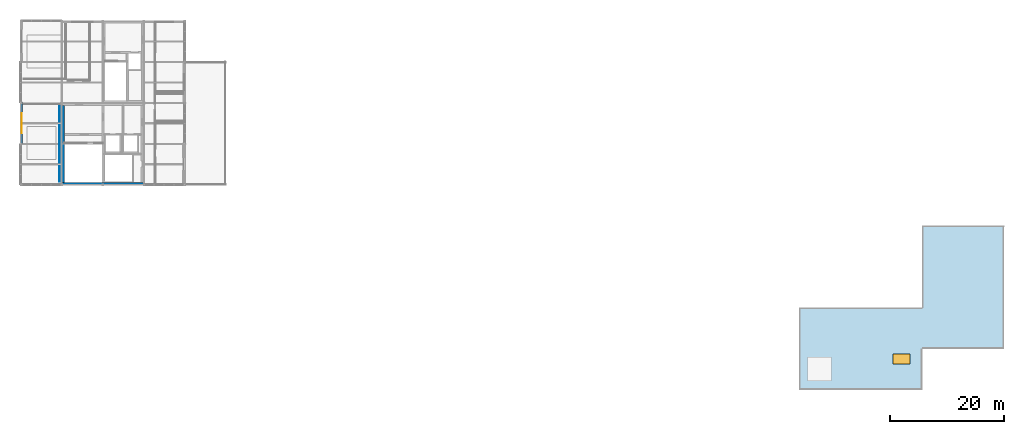
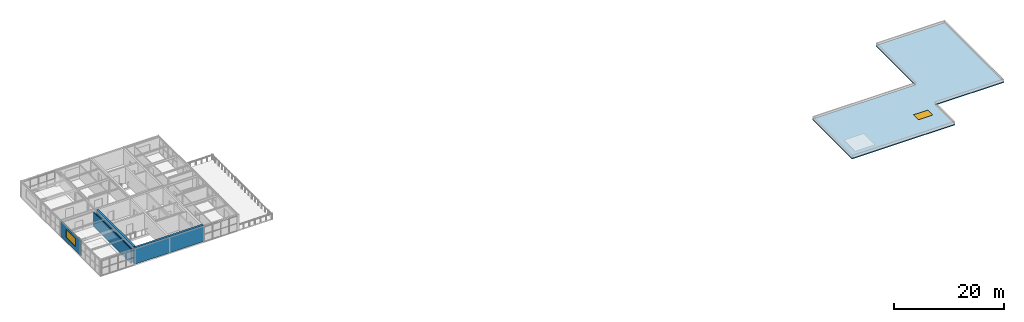
# One storey, part 7 of 12: 4 walls, 2 windows, 1 slab, 2 openings.
"""IFC4 building model written with IfcOpenShell, lengths in metres."""

from ifc_helpers import new_model, si_unit, direction, frame, frame_2d, origin, origin_2d, place, context, subcontext, project, spatial, polyline, rectangle, outline, extrude, material, layer, layer_set, type_object, element, fill, save


model = new_model("IFC4")

# Units and contexts
model_context = context("Model", 3, precision=1e-05, world=origin(), true_north=direction((0.0, 1.0)))
body_context = subcontext(model_context, "Body", "Model", "MODEL_VIEW")
ifc_project = project(units=[si_unit("LENGTHUNIT", "METRE"), si_unit("AREAUNIT", "SQUARE_METRE"), si_unit("VOLUMEUNIT", "CUBIC_METRE"), si_unit("PLANEANGLEUNIT", "RADIAN"), si_unit("MASSUNIT", "GRAM", prefix="KILO")], contexts=[model_context])

# Site, building, storey
site_placement = place(None, origin())
site = spatial("IfcSite", under=ifc_project, at=site_placement, CompositionType="ELEMENT")
building_placement = place(site_placement, origin())
building = spatial("IfcBuilding", under=site, at=building_placement, Name="Leyfeld Transit Interchange", CompositionType="ELEMENT")
storey_placement = place(building_placement, frame((0.0, 0.0, 21.60009765625)))
storey = spatial("IfcBuildingStorey", under=building, at=storey_placement, Name="L05", CompositionType="ELEMENT", Elevation=21.60009765625)

# Slab, opening, window
ifc_material_1 = material(Name="Concrete C35/45", Category="concrete")
ifc_layer_1 = layer(ifc_material_1, 0.219970703125, Name="Concrete C35/45")
ifc_layer_set_1 = layer_set([ifc_layer_1], Name="Concrete C35/45")
slab_type = type_object("IfcSlabType", Name="SLB-ROOF-220", PredefinedType="ROOF", material=ifc_layer_set_1)
slab_placement = place(storey_placement, frame((0.0, 0.0, -0.22021484375)))
slab = element("IfcSlab", 1, at=slab_placement, inside=storey, type_object=slab_type, Name="Slab V4_ROOF L05 B1", PredefinedType="ROOF", context=body_context, shape_type="SweptSolid", body=[
    extrude(outline(polyline([(158.39990234375, 57.60009765625), (158.39990234375, 64.800048828125), (172.800048828125, 64.800048828125), (172.800048828125, 86.39990234375), (158.39990234375, 86.39990234375), (158.39990234375, 72.0), (136.800048828125, 72.0), (136.800048828125, 57.60009765625), (158.39990234375, 57.60009765625)]), holes=[polyline([(156.300048828125, 62.10009765625), (153.300048828125, 62.10009765625), (153.300048828125, 63.89990234375), (156.300048828125, 63.89990234375), (156.300048828125, 62.10009765625)])]), origin(), (0.0, 0.0, 1.0), 0.22021484375),
])
opening_1_placement = place(slab_placement, frame((154.800048828125, 63.0, 0.0)))
opening_1 = element("IfcOpeningElement", 2, at=opening_1_placement, cuts=slab, Name="Opening SK-02", PredefinedType="OPENING", context=body_context, shape_type="SweptSolid", body=[
    extrude(rectangle(XDim=3.0, YDim=1.800048828125, at=origin_2d()), frame((0.0, 0.0, -0.010009765625)), (0.0, 0.0, 1.0), 0.240234375),
])
ifc_material_2 = material(Name="Laminated safety acoustic glazing", Category="glass")
window_type_1 = type_object("IfcWindowType", Name="SKY-3000x1800", PartitioningType="SINGLE_PANEL", PredefinedType="SKYLIGHT", material=ifc_material_2)
window_1_placement = place(opening_1_placement, frame((0.0, 0.0, 0.170166015625)))
window_1 = element("IfcWindow", 3, at=window_1_placement, inside=storey, type_object=window_type_1, Name="Roof Skylight L05 13", OverallHeight=1.800048828125, OverallWidth=3.0, PartitioningType="SINGLE_PANEL", PredefinedType="SKYLIGHT", context=body_context, shape_type="SweptSolid", body=[
    extrude(rectangle(XDim=3.0, YDim=1.800048828125, at=origin_2d()), origin(), (0.0, 0.0, 1.0), 0.050048828125),
])
fill(opening_1, window_1)

# Wall, opening, window
ifc_material_3 = material(Name="Austrian larch glulam GL28h", Category="wood")
ifc_layer_2 = layer(ifc_material_3, 0.31005859375, Name="Austrian larch glulam GL28h")
ifc_layer_set_2 = layer_set([ifc_layer_2], Name="Austrian larch glulam GL28h")
wall_type_1 = type_object("IfcWallType", Name="WL-EXT-LRC-310", PredefinedType="SOLIDWALL", material=ifc_layer_set_2)
wall_1_placement = place(storey_placement, frame((0.155029296875, 100.800048828125, 0.0), z_axis=(0.0, 0.0, 1.0), x_axis=(0.0, 1.0, 0.0)))
wall_1 = element("IfcWall", 4, at=wall_1_placement, inside=storey, type_object=wall_type_1, Name="External Facade Wall EW-L05-134", PredefinedType="SOLIDWALL", context=body_context, shape_type="SweptSolid", body=[
    extrude(rectangle(XDim=7.3349609375, YDim=0.31005859375, at=frame_2d((3.66748046875, 0.0))), origin(), (0.0, 0.0, 1.0), 3.31982421875),
])
opening_2_placement = place(wall_1_placement, frame((1.85009765625, 0.0, 0.89990234375)))
opening_2 = element("IfcOpeningElement", 5, at=opening_2_placement, cuts=wall_1, Name="Opening WM-17", PredefinedType="OPENING", context=body_context, shape_type="SweptSolid", body=[
    extrude(rectangle(XDim=3.5, YDim=1.800048828125, at=frame_2d((1.75, 0.89990234375))), frame((0.0, 0.1650390625, 0.0), z_axis=(0.0, -1.0, 0.0), x_axis=(1.0, 0.0, 0.0)), (0.0, 0.0, 1.0), 0.330078125),
])
ifc_material_4 = material(Name="Triple low-E insulated glazing", Category="glass")
window_type_2 = type_object("IfcWindowType", Name="WIN-MOD-17", PartitioningType="SINGLE_PANEL", PredefinedType="WINDOW", material=ifc_material_4)
window_2_placement = place(opening_2_placement, origin())
window_2 = element("IfcWindow", 6, at=window_2_placement, inside=storey, type_object=window_type_2, Name="Facade Window L05 094", OverallHeight=1.800048828125, OverallWidth=3.5, PartitioningType="SINGLE_PANEL", PredefinedType="WINDOW", context=body_context, shape_type="SweptSolid", body=[
    extrude(rectangle(XDim=3.5, YDim=1.800048828125, at=frame_2d((1.75, 0.89990234375))), frame((0.0, 0.030029296875, 0.0), z_axis=(0.0, -1.0, 0.0), x_axis=(1.0, 0.0, 0.0)), (0.0, 0.0, 1.0), 0.06005859375),
])
fill(opening_2, window_2)

# Walls
ifc_material_5 = material(Name="Gypsum plasterboard acoustic stud", Category="gypsum")
ifc_layer_3 = layer(ifc_material_5, 0.14501953125, Name="Gypsum plasterboard acoustic stud")
ifc_layer_set_3 = layer_set([ifc_layer_3], Name="Gypsum plasterboard acoustic stud")
wall_type_2 = type_object("IfcWallType", Name="WL-INT-STD-145", PredefinedType="PARTITIONING", material=ifc_layer_set_3)
wall_2_placement = place(storey_placement, frame((6.800048828125, 107.800048828125, 0.0), z_axis=(0.0, 0.0, 1.0), x_axis=(0.0, -1.0, 0.0)))
element("IfcWall", 7, at=wall_2_placement, inside=storey, type_object=wall_type_2, Name="Interior Partition L05-LOUNG-01 E", PredefinedType="PARTITIONING", context=body_context, shape_type="SweptSolid", body=[
    extrude(rectangle(XDim=13.699951171875, YDim=0.14501953125, at=frame_2d((6.85009765625, 0.0))), origin(), (0.0, 0.0, 1.0), 3.169921875),
])
ifc_layer_4 = layer(ifc_material_1, 0.449951171875, Name="Concrete C35/45")
ifc_layer_set_4 = layer_set([ifc_layer_4], Name="Concrete C35/45")
wall_type_3 = type_object("IfcWallType", Name="WL-SH-450", PredefinedType="SHEAR", material=ifc_layer_set_4)
wall_3_placement = place(storey_placement, frame((21.60009765625, 93.824951171875, 0.0), z_axis=(0.0, 0.0, 1.0), x_axis=(-1.0, 0.0, 0.0)))
element("IfcWall", 8, at=wall_3_placement, inside=storey, type_object=wall_type_3, Name="Core K1 Shear Wall S L05", PredefinedType="SHEAR", context=body_context, shape_type="SweptSolid", body=[
    extrude(rectangle(XDim=14.400146484375, YDim=0.449951171875, at=frame_2d((7.2001953125, 0.0))), origin(), (0.0, 0.0, 1.0), 3.619873046875),
])
wall_4_placement = place(storey_placement, frame((7.425048828125, 94.050048828125, 0.0), z_axis=(0.0, 0.0, 1.0), x_axis=(0.0, 1.0, 0.0)))
element("IfcWall", 9, at=wall_4_placement, inside=storey, type_object=wall_type_3, Name="Core K1 Shear Wall W L05", PredefinedType="SHEAR", context=body_context, shape_type="SweptSolid", body=[
    extrude(rectangle(XDim=13.5, YDim=0.449951171875, at=frame_2d((6.75, 0.0))), origin(), (0.0, 0.0, 1.0), 3.619873046875),
])

save(model, "model.ifc")
